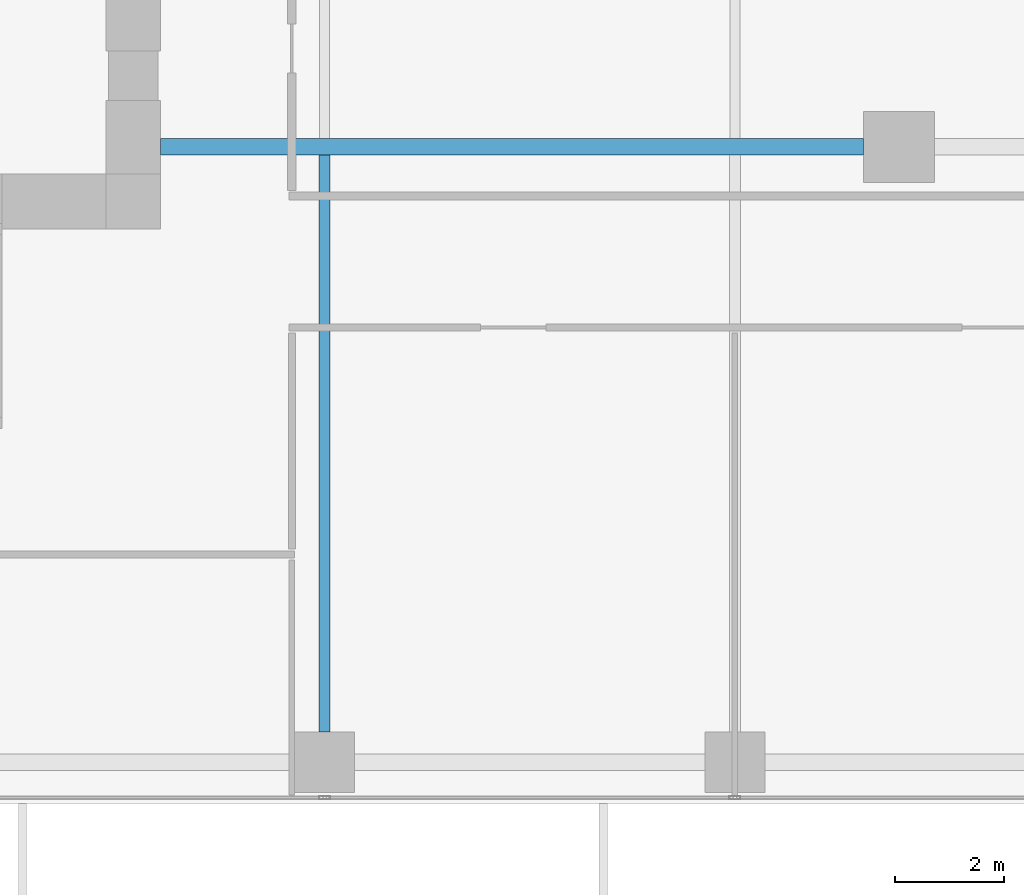
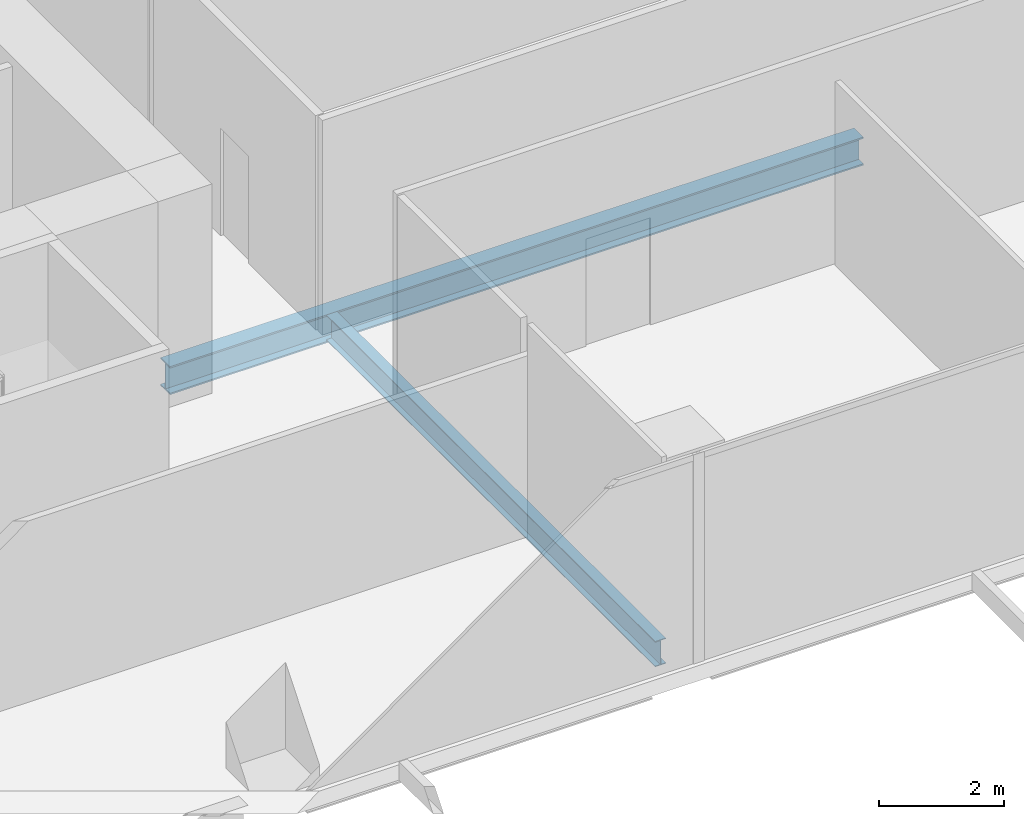
# One storey, part 6 of 35: 2 beams.
"""IFC4 building model written with IfcOpenShell, lengths in metres."""

from ifc_helpers import new_model, si_unit, direction, frame, origin, origin_2d, place, context, subcontext, project, spatial, i_section, extrude, source, transform, mapped, material, material_profile, profile_set, type_object, element, save


model = new_model("IFC4")

# Units and contexts
model_context = context("Model", 3, precision=1e-05, world=origin(), true_north=direction((0.0, 1.0)))
body_context = subcontext(model_context, "Body", "Model", "MODEL_VIEW")
ifc_project = project(units=[si_unit("LENGTHUNIT", "METRE"), si_unit("AREAUNIT", "SQUARE_METRE"), si_unit("VOLUMEUNIT", "CUBIC_METRE"), si_unit("PLANEANGLEUNIT", "RADIAN"), si_unit("MASSUNIT", "GRAM", prefix="KILO")], contexts=[model_context])

# Site, building, storey
site_placement = place(None, origin())
site = spatial("IfcSite", under=ifc_project, at=site_placement, CompositionType="ELEMENT")
building_placement = place(site_placement, origin())
building = spatial("IfcBuilding", under=site, at=building_placement, Name="Khomas Fold Tower", CompositionType="ELEMENT")
storey_placement = place(building_placement, frame((0.0, 0.0, 132.300048828125)))
storey = spatial("IfcBuildingStorey", under=building, at=storey_placement, Name="L28", CompositionType="ELEMENT", Elevation=132.300048828125)

# Beams
ifc_material_1 = material(Name="Steel S355", Category="steel")
ifc_material_profile_1 = material_profile(ifc_material_1, i_section(OverallWidth=0.300048828125, OverallDepth=0.550048828125, WebThickness=0.014892578125, FlangeThickness=0.029052734375, at=origin_2d()), Name="HE 550 B")
ifc_profile_set_1 = profile_set([ifc_material_profile_1], Name="Steel S355")
beam_type_1 = type_object("IfcBeamType", Name="HE 550 B beam GB4", PredefinedType="BEAM", material=ifc_profile_set_1)
shared_shape_1 = source(origin(), body_context, "Body", "SweptSolid", [
    extrude(i_section(OverallWidth=0.300048828125, OverallDepth=0.550048828125, WebThickness=0.014892578125, FlangeThickness=0.029052734375, at=origin_2d()), origin(), (0.0, 0.0, 1.0), 12.85009765625),
])
beam_1_placement = place(storey_placement, frame((24.0, 13.5, -0.574951171875), z_axis=(1.0, 0.0, 0.0), x_axis=(0.0, 1.0, 0.0)))
element("IfcBeam", 1, at=beam_1_placement, inside=storey, type_object=beam_type_1, Name="GB4", PredefinedType="BEAM", context=body_context, shape_type="MappedRepresentation", body=[
    mapped(shared_shape_1, transform((0.0, 0.0, 0.0))),
])
ifc_material_2 = material(Name="Steel S355", Category="steel")
ifc_material_profile_2 = material_profile(ifc_material_2, i_section(OverallWidth=0.199951171875, OverallDepth=0.5, WebThickness=0.01025390625, FlangeThickness=0.01611328125, at=origin_2d()), Name="IPE 500")
ifc_profile_set_2 = profile_set([ifc_material_profile_2], Name="Steel S355")
beam_type_2 = type_object("IfcBeamType", Name="IPE 500 beam JB5", PredefinedType="BEAM", material=ifc_profile_set_2)
shared_shape_2 = source(origin(), body_context, "Body", "SweptSolid", [
    extrude(i_section(OverallWidth=0.199951171875, OverallDepth=0.5, WebThickness=0.01025390625, FlangeThickness=0.01611328125, at=origin_2d()), origin(), (0.0, 0.0, 1.0), 10.550048828125),
])
beam_2_placement = place(storey_placement, frame((27.0, 2.800048828125, -0.550048828125), z_axis=(0.0, 1.0, 0.0), x_axis=(-1.0, 0.0, 0.0)))
element("IfcBeam", 2, at=beam_2_placement, inside=storey, type_object=beam_type_2, Name="JB5", PredefinedType="BEAM", context=body_context, shape_type="MappedRepresentation", body=[
    mapped(shared_shape_2, transform((0.0, 0.0, 0.0))),
])

save(model, "model.ifc")
